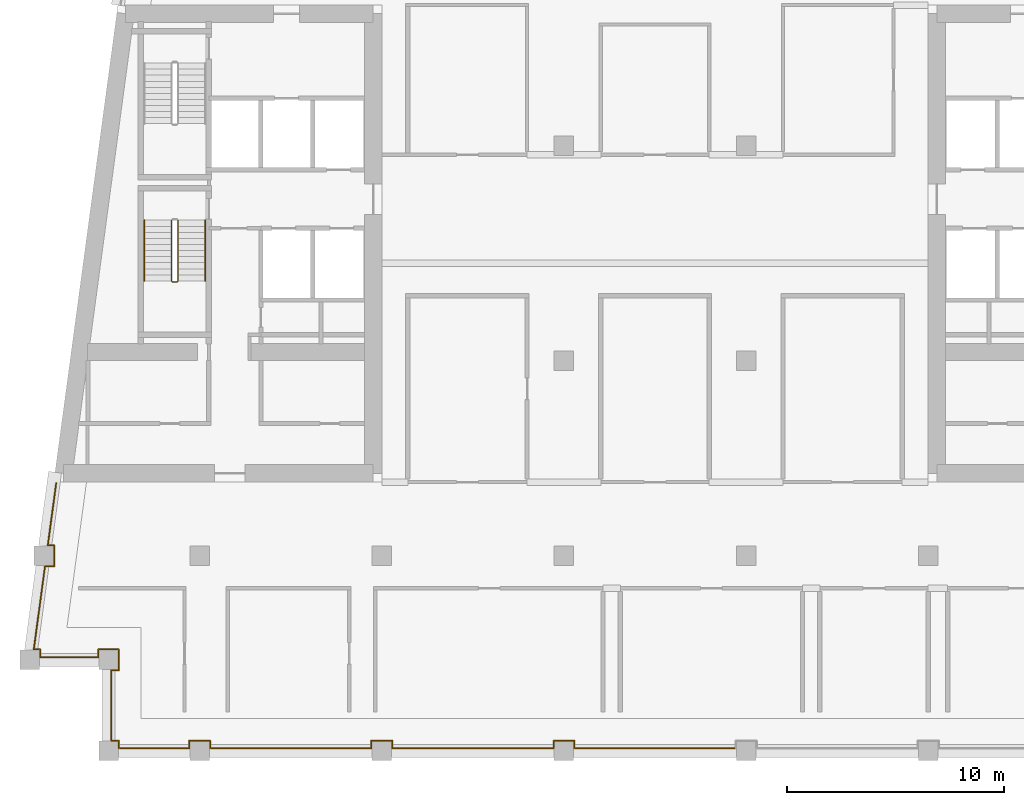
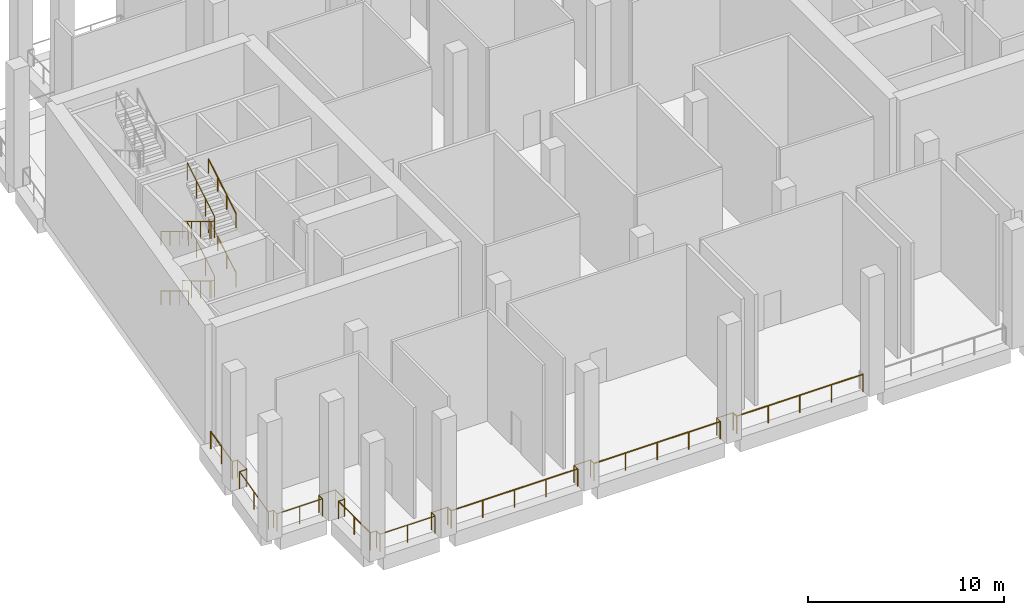
# One storey, part 7 of 10: 16 railings.
"""IFC4 building model written with IfcOpenShell, lengths in metres."""

from ifc_helpers import new_model, si_unit, direction, frame, origin, origin_2d, place, context, subcontext, project, spatial, circle, extrude, material, type_object, element, save


model = new_model("IFC4")

# Units and contexts
model_context = context("Model", 3, precision=1e-05, world=origin(), true_north=direction((0.0, 1.0)))
body_context = subcontext(model_context, "Body", "Model", "MODEL_VIEW")
ifc_project = project(units=[si_unit("LENGTHUNIT", "METRE"), si_unit("AREAUNIT", "SQUARE_METRE"), si_unit("VOLUMEUNIT", "CUBIC_METRE"), si_unit("PLANEANGLEUNIT", "RADIAN"), si_unit("MASSUNIT", "GRAM", prefix="KILO")], contexts=[model_context])

# Site, building, storey
site_placement = place(None, origin())
site = spatial("IfcSite", under=ifc_project, at=site_placement, CompositionType="ELEMENT")
building_placement = place(site_placement, origin())
building = spatial("IfcBuilding", under=site, at=building_placement, Name="Candeia Pilgrim Tower and Theatre", CompositionType="ELEMENT")
storey_placement = place(building_placement, frame((0.0, 0.0, 246.60009765625)))
storey = spatial("IfcBuildingStorey", under=building, at=storey_placement, Name="L60", CompositionType="ELEMENT", Elevation=246.60009765625)

# Railings
ifc_material_1 = material(Name="Stainless steel balustrade", Category="steel")
railing_type_1 = type_object("IfcRailingType", Name="G1 loggia guard 1100", PredefinedType="GUARDRAIL", material=ifc_material_1)
railing_1_placement = place(storey_placement, frame((88.320068359375, 101.719970703125, 0.0)))
element("IfcRailing", 1, at=railing_1_placement, inside=storey, type_object=railing_type_1, Name="Guard L60.1", PredefinedType="GUARDRAIL", context=body_context, shape_type="SweptSolid", body=[
    extrude(circle(Radius=0.02392578125, at=origin_2d()), frame((0.0, 0.0, 1.076171875), z_axis=(1.0, 0.0, 0.0), x_axis=(0.0, 1.0, 0.0)), (0.0, 0.0, 1.0), 0.35986328125),
    extrude(circle(Radius=0.02392578125, at=origin_2d()), frame((0.35986328125, 0.0, 1.076171875), z_axis=(0.0, 1.0, 0.0), x_axis=(-1.0, 0.0, 0.0)), (0.0, 0.0, 1.0), 0.9599609375),
    extrude(circle(Radius=0.02392578125, at=origin_2d()), frame((0.35986328125, 0.9599609375, 1.076171875), z_axis=(-1.0, 0.0, 0.0), x_axis=(0.0, -1.0, 0.0)), (0.0, 0.0, 1.0), 0.9599609375),
    extrude(circle(Radius=0.02392578125, at=origin_2d()), frame((-0.60009765625, 0.9599609375, 1.076171875), z_axis=(0.0, -1.0, 0.0), x_axis=(1.0, 0.0, 0.0)), (0.0, 0.0, 1.0), 0.35986328125),
    extrude(circle(Radius=0.02392578125, at=origin_2d()), frame((-0.60009765625, 0.60009765625, 1.076171875), z_axis=(-1.0, 0.0, 0.0), x_axis=(0.0, -1.0, 0.0)), (0.0, 0.0, 1.0), 2.674560546875),
    extrude(circle(Radius=0.02392578125, at=origin_2d()), frame((-3.274658203125, 0.60009765625, 1.076171875), z_axis=(0.0, 1.0, 0.0), x_axis=(-1.0, 0.0, 0.0)), (0.0, 0.0, 1.0), 0.35986328125),
    extrude(circle(Radius=0.02392578125, at=origin_2d()), frame((-3.274658203125, 0.9599609375, 1.076171875), z_axis=(-1.0, 0.0, 0.0), x_axis=(0.0, -1.0, 0.0)), (0.0, 0.0, 1.0), 0.29443359375),
    extrude(circle(Radius=0.02099609375, at=origin_2d()), origin(), (0.0, 0.0, 1.0), 1.052001953125),
    extrude(circle(Radius=0.02099609375, at=origin_2d()), frame((0.35986328125, 0.0, 0.0)), (0.0, 0.0, 1.0), 1.052001953125),
    extrude(circle(Radius=0.02099609375, at=origin_2d()), frame((0.35986328125, 0.9599609375, 0.0)), (0.0, 0.0, 1.0), 1.052001953125),
    extrude(circle(Radius=0.02099609375, at=origin_2d()), frame((-0.60009765625, 0.9599609375, 0.0)), (0.0, 0.0, 1.0), 1.052001953125),
    extrude(circle(Radius=0.02099609375, at=origin_2d()), frame((-0.60009765625, 0.60009765625, 0.0)), (0.0, 0.0, 1.0), 1.052001953125),
    extrude(circle(Radius=0.02099609375, at=origin_2d()), frame((-1.9375, 0.60009765625, 0.0)), (0.0, 0.0, 1.0), 1.052001953125),
    extrude(circle(Radius=0.02099609375, at=origin_2d()), frame((-3.274658203125, 0.60009765625, 0.0)), (0.0, 0.0, 1.0), 1.052001953125),
    extrude(circle(Radius=0.02099609375, at=origin_2d()), frame((-3.274658203125, 0.9599609375, 0.0)), (0.0, 0.0, 1.0), 1.052001953125),
    extrude(circle(Radius=0.02099609375, at=origin_2d()), frame((-3.569091796875, 0.9599609375, 0.0)), (0.0, 0.0, 1.0), 1.052001953125),
])
railing_2_placement = place(storey_placement, frame((84.7509765625, 102.679931640625, 0.0)))
element("IfcRailing", 2, at=railing_2_placement, inside=storey, type_object=railing_type_1, Name="Guard L60.2", PredefinedType="GUARDRAIL", context=body_context, shape_type="SweptSolid", body=[
    extrude(circle(Radius=0.02392578125, at=origin_2d()), frame((0.0, 0.0, 1.076171875), z_axis=(0.133451286285, 0.991055373927, 0.0), x_axis=(-0.991055373927, 0.133451286285, 0.0)), (0.0, 0.0, 1.0), 3.874755859375),
    extrude(circle(Radius=0.02392578125, at=origin_2d()), frame((0.51708984375, 3.840087890625, 1.076171875), z_axis=(1.0, 0.0, 0.0), x_axis=(0.0, 1.0, 0.0)), (0.0, 0.0, 1.0), 0.423583984375),
    extrude(circle(Radius=0.02392578125, at=origin_2d()), frame((0.940673828125, 3.840087890625, 1.076171875), z_axis=(0.0, 1.0, 0.0), x_axis=(-1.0, 0.0, 0.0)), (0.0, 0.0, 1.0), 0.9599609375),
    extrude(circle(Radius=0.02392578125, at=origin_2d()), frame((0.940673828125, 4.800048828125, 1.076171875), z_axis=(-1.0, 0.0, 0.0), x_axis=(0.0, -1.0, 0.0)), (0.0, 0.0, 1.0), 0.29443359375),
    extrude(circle(Radius=0.02099609375, at=origin_2d()), origin(), (0.0, 0.0, 1.0), 1.052001953125),
    extrude(circle(Radius=0.02099609375, at=origin_2d()), frame((0.258544921875, 1.919921875, 0.0)), (0.0, 0.0, 1.0), 1.052001953125),
    extrude(circle(Radius=0.02099609375, at=origin_2d()), frame((0.51708984375, 3.840087890625, 0.0)), (0.0, 0.0, 1.0), 1.052001953125),
    extrude(circle(Radius=0.02099609375, at=origin_2d()), frame((0.940673828125, 3.840087890625, 0.0)), (0.0, 0.0, 1.0), 1.052001953125),
    extrude(circle(Radius=0.02099609375, at=origin_2d()), frame((0.940673828125, 4.800048828125, 0.0)), (0.0, 0.0, 1.0), 1.052001953125),
    extrude(circle(Radius=0.02099609375, at=origin_2d()), frame((0.646240234375, 4.800048828125, 0.0)), (0.0, 0.0, 1.0), 1.052001953125),
])
railing_3_placement = place(storey_placement, frame((85.397216796875, 107.47998046875, 0.0)))
element("IfcRailing", 3, at=railing_3_placement, inside=storey, type_object=railing_type_1, Name="Guard L60.3", PredefinedType="GUARDRAIL", context=body_context, shape_type="SweptSolid", body=[
    extrude(circle(Radius=0.02392578125, at=origin_2d()), frame((0.0, 0.0, 1.076171875), z_axis=(0.133450228179, 0.991055516406, 0.0), x_axis=(-0.991055516406, 0.133450228179, 0.0)), (0.0, 0.0, 1.0), 2.89599609375),
    extrude(circle(Radius=0.02099609375, at=origin_2d()), origin(), (0.0, 0.0, 1.0), 1.052001953125),
    extrude(circle(Radius=0.02099609375, at=origin_2d()), frame((0.193359375, 1.43505859375, 0.0)), (0.0, 0.0, 1.0), 1.052001953125),
    extrude(circle(Radius=0.02099609375, at=origin_2d()), frame((0.386474609375, 2.8701171875, 0.0)), (0.0, 0.0, 1.0), 1.052001953125),
])
railing_4_placement = place(storey_placement, frame((117.1201171875, 98.1201171875, 0.0)))
element("IfcRailing", 4, at=railing_4_placement, inside=storey, type_object=railing_type_1, Name="Guard L60.27", PredefinedType="GUARDRAIL", context=body_context, shape_type="SweptSolid", body=[
    extrude(circle(Radius=0.02392578125, at=origin_2d()), frame((0.0, 0.0, 1.076171875), z_axis=(-1.0, 0.0, 0.0), x_axis=(0.0, -1.0, 0.0)), (0.0, 0.0, 1.0), 7.440185546875),
    extrude(circle(Radius=0.02392578125, at=origin_2d()), frame((-7.440185546875, 0.0, 1.076171875), z_axis=(0.0, 1.0, 0.0), x_axis=(-1.0, 0.0, 0.0)), (0.0, 0.0, 1.0), 0.35986328125),
    extrude(circle(Radius=0.02099609375, at=origin_2d()), origin(), (0.0, 0.0, 1.0), 1.052001953125),
    extrude(circle(Radius=0.02099609375, at=origin_2d()), frame((-1.860107421875, 0.0, 0.0)), (0.0, 0.0, 1.0), 1.052001953125),
    extrude(circle(Radius=0.02099609375, at=origin_2d()), frame((-3.72021484375, 0.0, 0.0)), (0.0, 0.0, 1.0), 1.052001953125),
    extrude(circle(Radius=0.02099609375, at=origin_2d()), frame((-5.580078125, 0.0, 0.0)), (0.0, 0.0, 1.0), 1.052001953125),
    extrude(circle(Radius=0.02099609375, at=origin_2d()), frame((-7.440185546875, 0.0, 0.0)), (0.0, 0.0, 1.0), 1.052001953125),
    extrude(circle(Radius=0.02099609375, at=origin_2d()), frame((-7.440185546875, 0.35986328125, 0.0)), (0.0, 0.0, 1.0), 1.052001953125),
])
railing_5_placement = place(storey_placement, frame((109.679931640625, 98.47998046875, 0.0)))
element("IfcRailing", 5, at=railing_5_placement, inside=storey, type_object=railing_type_1, Name="Guard L60.28", PredefinedType="GUARDRAIL", context=body_context, shape_type="SweptSolid", body=[
    extrude(circle(Radius=0.02392578125, at=origin_2d()), frame((0.0, 0.0, 1.076171875), z_axis=(-1.0, 0.0, 0.0), x_axis=(0.0, -1.0, 0.0)), (0.0, 0.0, 1.0), 0.9599609375),
    extrude(circle(Radius=0.02392578125, at=origin_2d()), frame((-0.9599609375, 0.0, 1.076171875), z_axis=(0.0, -1.0, 0.0), x_axis=(1.0, 0.0, 0.0)), (0.0, 0.0, 1.0), 0.35986328125),
    extrude(circle(Radius=0.02099609375, at=origin_2d()), origin(), (0.0, 0.0, 1.0), 1.052001953125),
    extrude(circle(Radius=0.02099609375, at=origin_2d()), frame((-0.9599609375, 0.0, 0.0)), (0.0, 0.0, 1.0), 1.052001953125),
    extrude(circle(Radius=0.02099609375, at=origin_2d()), frame((-0.9599609375, -0.35986328125, 0.0)), (0.0, 0.0, 1.0), 1.052001953125),
])
railing_6_placement = place(storey_placement, frame((108.719970703125, 98.1201171875, 0.0)))
element("IfcRailing", 6, at=railing_6_placement, inside=storey, type_object=railing_type_1, Name="Guard L60.29", PredefinedType="GUARDRAIL", context=body_context, shape_type="SweptSolid", body=[
    extrude(circle(Radius=0.02392578125, at=origin_2d()), frame((0.0, 0.0, 1.076171875), z_axis=(-1.0, 0.0, 0.0), x_axis=(0.0, -1.0, 0.0)), (0.0, 0.0, 1.0), 7.43994140625),
    extrude(circle(Radius=0.02392578125, at=origin_2d()), frame((-7.43994140625, 0.0, 1.076171875), z_axis=(0.0, 1.0, 0.0), x_axis=(-1.0, 0.0, 0.0)), (0.0, 0.0, 1.0), 0.35986328125),
    extrude(circle(Radius=0.02099609375, at=origin_2d()), origin(), (0.0, 0.0, 1.0), 1.052001953125),
    extrude(circle(Radius=0.02099609375, at=origin_2d()), frame((-1.85986328125, 0.0, 0.0)), (0.0, 0.0, 1.0), 1.052001953125),
    extrude(circle(Radius=0.02099609375, at=origin_2d()), frame((-3.719970703125, 0.0, 0.0)), (0.0, 0.0, 1.0), 1.052001953125),
    extrude(circle(Radius=0.02099609375, at=origin_2d()), frame((-5.580078125, 0.0, 0.0)), (0.0, 0.0, 1.0), 1.052001953125),
    extrude(circle(Radius=0.02099609375, at=origin_2d()), frame((-7.43994140625, 0.0, 0.0)), (0.0, 0.0, 1.0), 1.052001953125),
    extrude(circle(Radius=0.02099609375, at=origin_2d()), frame((-7.43994140625, 0.35986328125, 0.0)), (0.0, 0.0, 1.0), 1.052001953125),
])
railing_7_placement = place(storey_placement, frame((101.280029296875, 98.47998046875, 0.0)))
element("IfcRailing", 7, at=railing_7_placement, inside=storey, type_object=railing_type_1, Name="Guard L60.30", PredefinedType="GUARDRAIL", context=body_context, shape_type="SweptSolid", body=[
    extrude(circle(Radius=0.02392578125, at=origin_2d()), frame((0.0, 0.0, 1.076171875), z_axis=(-1.0, 0.0, 0.0), x_axis=(0.0, -1.0, 0.0)), (0.0, 0.0, 1.0), 0.9599609375),
    extrude(circle(Radius=0.02392578125, at=origin_2d()), frame((-0.9599609375, 0.0, 1.076171875), z_axis=(0.0, -1.0, 0.0), x_axis=(1.0, 0.0, 0.0)), (0.0, 0.0, 1.0), 0.35986328125),
    extrude(circle(Radius=0.02099609375, at=origin_2d()), origin(), (0.0, 0.0, 1.0), 1.052001953125),
    extrude(circle(Radius=0.02099609375, at=origin_2d()), frame((-0.9599609375, 0.0, 0.0)), (0.0, 0.0, 1.0), 1.052001953125),
    extrude(circle(Radius=0.02099609375, at=origin_2d()), frame((-0.9599609375, -0.35986328125, 0.0)), (0.0, 0.0, 1.0), 1.052001953125),
])
railing_8_placement = place(storey_placement, frame((100.320068359375, 98.1201171875, 0.0)))
element("IfcRailing", 8, at=railing_8_placement, inside=storey, type_object=railing_type_1, Name="Guard L60.31", PredefinedType="GUARDRAIL", context=body_context, shape_type="SweptSolid", body=[
    extrude(circle(Radius=0.02392578125, at=origin_2d()), frame((0.0, 0.0, 1.076171875), z_axis=(-1.0, 0.0, 0.0), x_axis=(0.0, -1.0, 0.0)), (0.0, 0.0, 1.0), 7.440185546875),
    extrude(circle(Radius=0.02392578125, at=origin_2d()), frame((-7.440185546875, 0.0, 1.076171875), z_axis=(0.0, 1.0, 0.0), x_axis=(-1.0, 0.0, 0.0)), (0.0, 0.0, 1.0), 0.35986328125),
    extrude(circle(Radius=0.02099609375, at=origin_2d()), origin(), (0.0, 0.0, 1.0), 1.052001953125),
    extrude(circle(Radius=0.02099609375, at=origin_2d()), frame((-1.860107421875, 0.0, 0.0)), (0.0, 0.0, 1.0), 1.052001953125),
    extrude(circle(Radius=0.02099609375, at=origin_2d()), frame((-3.72021484375, 0.0, 0.0)), (0.0, 0.0, 1.0), 1.052001953125),
    extrude(circle(Radius=0.02099609375, at=origin_2d()), frame((-5.580078125, 0.0, 0.0)), (0.0, 0.0, 1.0), 1.052001953125),
    extrude(circle(Radius=0.02099609375, at=origin_2d()), frame((-7.440185546875, 0.0, 0.0)), (0.0, 0.0, 1.0), 1.052001953125),
    extrude(circle(Radius=0.02099609375, at=origin_2d()), frame((-7.440185546875, 0.35986328125, 0.0)), (0.0, 0.0, 1.0), 1.052001953125),
])
railing_9_placement = place(storey_placement, frame((92.8798828125, 98.47998046875, 0.0)))
element("IfcRailing", 9, at=railing_9_placement, inside=storey, type_object=railing_type_1, Name="Guard L60.32", PredefinedType="GUARDRAIL", context=body_context, shape_type="SweptSolid", body=[
    extrude(circle(Radius=0.02392578125, at=origin_2d()), frame((0.0, 0.0, 1.076171875), z_axis=(-1.0, 0.0, 0.0), x_axis=(0.0, -1.0, 0.0)), (0.0, 0.0, 1.0), 0.9599609375),
    extrude(circle(Radius=0.02392578125, at=origin_2d()), frame((-0.9599609375, 0.0, 1.076171875), z_axis=(0.0, -1.0, 0.0), x_axis=(1.0, 0.0, 0.0)), (0.0, 0.0, 1.0), 0.35986328125),
    extrude(circle(Radius=0.02392578125, at=origin_2d()), frame((-0.9599609375, -0.35986328125, 1.076171875), z_axis=(-1.0, 0.0, 0.0), x_axis=(0.0, -1.0, 0.0)), (0.0, 0.0, 1.0), 3.239990234375),
    extrude(circle(Radius=0.02392578125, at=origin_2d()), frame((-4.199951171875, -0.35986328125, 1.076171875), z_axis=(0.0, 1.0, 0.0), x_axis=(-1.0, 0.0, 0.0)), (0.0, 0.0, 1.0), 0.35986328125),
    extrude(circle(Radius=0.02392578125, at=origin_2d()), frame((-4.199951171875, 0.0, 1.076171875), z_axis=(-1.0, 0.0, 0.0), x_axis=(0.0, -1.0, 0.0)), (0.0, 0.0, 1.0), 0.35986328125),
    extrude(circle(Radius=0.02099609375, at=origin_2d()), origin(), (0.0, 0.0, 1.0), 1.052001953125),
    extrude(circle(Radius=0.02099609375, at=origin_2d()), frame((-0.9599609375, 0.0, 0.0)), (0.0, 0.0, 1.0), 1.052001953125),
    extrude(circle(Radius=0.02099609375, at=origin_2d()), frame((-0.9599609375, -0.35986328125, 0.0)), (0.0, 0.0, 1.0), 1.052001953125),
    extrude(circle(Radius=0.02099609375, at=origin_2d()), frame((-2.580078125, -0.35986328125, 0.0)), (0.0, 0.0, 1.0), 1.052001953125),
    extrude(circle(Radius=0.02099609375, at=origin_2d()), frame((-4.199951171875, -0.35986328125, 0.0)), (0.0, 0.0, 1.0), 1.052001953125),
    extrude(circle(Radius=0.02099609375, at=origin_2d()), frame((-4.199951171875, 0.0, 0.0)), (0.0, 0.0, 1.0), 1.052001953125),
    extrude(circle(Radius=0.02099609375, at=origin_2d()), frame((-4.559814453125, 0.0, 0.0)), (0.0, 0.0, 1.0), 1.052001953125),
])
railing_10_placement = place(storey_placement, frame((88.320068359375, 98.47998046875, 0.0)))
element("IfcRailing", 10, at=railing_10_placement, inside=storey, type_object=railing_type_1, Name="Guard L60.33", PredefinedType="GUARDRAIL", context=body_context, shape_type="SweptSolid", body=[
    extrude(circle(Radius=0.02392578125, at=origin_2d()), frame((0.0, 0.0, 1.076171875), z_axis=(0.0, 1.0, 0.0), x_axis=(-1.0, 0.0, 0.0)), (0.0, 0.0, 1.0), 3.239990234375),
    extrude(circle(Radius=0.02099609375, at=origin_2d()), origin(), (0.0, 0.0, 1.0), 1.052001953125),
    extrude(circle(Radius=0.02099609375, at=origin_2d()), frame((0.0, 1.6201171875, 0.0)), (0.0, 0.0, 1.0), 1.052001953125),
    extrude(circle(Radius=0.02099609375, at=origin_2d()), frame((0.0, 3.239990234375, 0.0)), (0.0, 0.0, 1.0), 1.052001953125),
])
railing_type_2 = type_object("IfcRailingType", Name="RL-GUARD-1100", PredefinedType="GUARDRAIL", material=ifc_material_1)
railing_11_placement = place(storey_placement, frame((91.10205078125, 122.47509765625, 0.16796875)))
element("IfcRailing", 11, at=railing_11_placement, inside=storey, type_object=railing_type_2, Name="L60 ST1 stair guard 1", PredefinedType="GUARDRAIL", context=body_context, shape_type="SweptSolid", body=[
    extrude(circle(Radius=0.02392578125, at=origin_2d()), frame((0.0, 0.0, 1.076171875), z_axis=(0.0, -0.857242210791, 0.514913383045), x_axis=(1.0, 0.0, 0.0)), (0.0, 0.0, 1.0), 3.266357421875),
    extrude(circle(Radius=0.02392578125, at=origin_2d()), frame((0.0, -2.800048828125, 2.7578125), z_axis=(0.707106781187, -0.707106781187, 0.0), x_axis=(0.707106781187, 0.707106781187, 0.0)), (0.0, 0.0, 1.0), 0.07080078125),
    extrude(circle(Radius=0.02392578125, at=origin_2d()), frame((0.050048828125, -2.85009765625, 2.7578125), z_axis=(1.0, 0.0, 0.0), x_axis=(0.0, 1.0, 0.0)), (0.0, 0.0, 1.0), 0.199951171875),
    extrude(circle(Radius=0.02392578125, at=origin_2d()), frame((0.25, -2.85009765625, 2.7578125), z_axis=(0.274243871929, 0.274243871929, 0.92172696468), x_axis=(-0.707106781187, 0.707106781187, 0.0)), (0.0, 0.0, 1.0), 0.1826171875),
    extrude(circle(Radius=0.02392578125, at=origin_2d()), frame((0.300048828125, -2.800048828125, 2.92626953125), z_axis=(0.0, 0.857242210791, 0.514913383045), x_axis=(-1.0, 0.0, 0.0)), (0.0, 0.0, 1.0), 3.266357421875),
    extrude(circle(Radius=0.02099609375, at=origin_2d()), origin(), (0.0, 0.0, 1.0), 1.052001953125),
    extrude(circle(Radius=0.02099609375, at=origin_2d()), frame((0.0, -0.933349609375, 0.560546875)), (0.0, 0.0, 1.0), 1.052001953125),
    extrude(circle(Radius=0.02099609375, at=origin_2d()), frame((0.0, -1.86669921875, 1.121337890625)), (0.0, 0.0, 1.0), 1.052001953125),
    extrude(circle(Radius=0.02099609375, at=origin_2d()), frame((0.0, -2.800048828125, 1.681884765625)), (0.0, 0.0, 1.0), 1.052001953125),
    extrude(circle(Radius=0.02099609375, at=origin_2d()), frame((0.050048828125, -2.85009765625, 1.681884765625)), (0.0, 0.0, 1.0), 1.052001953125),
    extrude(circle(Radius=0.02099609375, at=origin_2d()), frame((0.25, -2.85009765625, 1.681884765625)), (0.0, 0.0, 1.0), 1.052001953125),
    extrude(circle(Radius=0.02099609375, at=origin_2d()), frame((0.300048828125, -2.800048828125, 1.85009765625)), (0.0, 0.0, 1.0), 1.052001953125),
    extrude(circle(Radius=0.02099609375, at=origin_2d()), frame((0.300048828125, -1.86669921875, 2.41064453125)), (0.0, 0.0, 1.0), 1.052001953125),
    extrude(circle(Radius=0.02099609375, at=origin_2d()), frame((0.300048828125, -0.933349609375, 2.971435546875)), (0.0, 0.0, 1.0), 1.052001953125),
    extrude(circle(Radius=0.02099609375, at=origin_2d()), frame((0.300048828125, 0.0, 3.531982421875)), (0.0, 0.0, 1.0), 1.052001953125),
])
railing_12_placement = place(storey_placement, frame((91.10205078125, 122.47509765625, 3.8681640625)))
element("IfcRailing", 12, at=railing_12_placement, inside=storey, type_object=railing_type_2, Name="L60 ST1 stair guard 3", PredefinedType="GUARDRAIL", context=body_context, shape_type="SweptSolid", body=[
    extrude(circle(Radius=0.02392578125, at=origin_2d()), frame((0.0, 0.0, 1.076171875), z_axis=(0.0, -0.857275202839, 0.514858452973), x_axis=(1.0, 0.0, 0.0)), (0.0, 0.0, 1.0), 3.26611328125),
    extrude(circle(Radius=0.02392578125, at=origin_2d()), frame((0.0, -2.800048828125, 2.7578125), z_axis=(0.707106781187, -0.707106781187, 0.0), x_axis=(0.707106781187, 0.707106781187, 0.0)), (0.0, 0.0, 1.0), 0.07080078125),
    extrude(circle(Radius=0.02392578125, at=origin_2d()), frame((0.050048828125, -2.85009765625, 2.7578125), z_axis=(1.0, 0.0, 0.0), x_axis=(0.0, 1.0, 0.0)), (0.0, 0.0, 1.0), 0.199951171875),
    extrude(circle(Radius=0.02392578125, at=origin_2d()), frame((0.25, -2.85009765625, 2.7578125), z_axis=(0.274243871929, 0.274243871929, 0.92172696468), x_axis=(-0.707106781187, 0.707106781187, 0.0)), (0.0, 0.0, 1.0), 0.1826171875),
    extrude(circle(Radius=0.02392578125, at=origin_2d()), frame((0.300048828125, -2.800048828125, 2.92578125), z_axis=(0.0, 0.857242210791, 0.514913383045), x_axis=(-1.0, 0.0, 0.0)), (0.0, 0.0, 1.0), 3.266357421875),
    extrude(circle(Radius=0.02099609375, at=origin_2d()), origin(), (0.0, 0.0, 1.0), 1.052001953125),
    extrude(circle(Radius=0.02099609375, at=origin_2d()), frame((0.0, -0.933349609375, 0.560546875)), (0.0, 0.0, 1.0), 1.052001953125),
    extrude(circle(Radius=0.02099609375, at=origin_2d()), frame((0.0, -1.86669921875, 1.12109375)), (0.0, 0.0, 1.0), 1.052001953125),
    extrude(circle(Radius=0.02099609375, at=origin_2d()), frame((0.0, -2.800048828125, 1.681640625)), (0.0, 0.0, 1.0), 1.052001953125),
    extrude(circle(Radius=0.02099609375, at=origin_2d()), frame((0.050048828125, -2.85009765625, 1.681640625)), (0.0, 0.0, 1.0), 1.052001953125),
    extrude(circle(Radius=0.02099609375, at=origin_2d()), frame((0.25, -2.85009765625, 1.681640625)), (0.0, 0.0, 1.0), 1.052001953125),
    extrude(circle(Radius=0.02099609375, at=origin_2d()), frame((0.300048828125, -2.800048828125, 1.849853515625)), (0.0, 0.0, 1.0), 1.052001953125),
    extrude(circle(Radius=0.02099609375, at=origin_2d()), frame((0.300048828125, -1.86669921875, 2.410400390625)), (0.0, 0.0, 1.0), 1.052001953125),
    extrude(circle(Radius=0.02099609375, at=origin_2d()), frame((0.300048828125, -0.933349609375, 2.97119140625)), (0.0, 0.0, 1.0), 1.052001953125),
    extrude(circle(Radius=0.02099609375, at=origin_2d()), frame((0.300048828125, 0.0, 3.53173828125)), (0.0, 0.0, 1.0), 1.052001953125),
])
ifc_material_2 = material(Name="Stainless steel handrail", Category="steel")
railing_type_3 = type_object("IfcRailingType", Name="RL-HANDRAIL-900", PredefinedType="HANDRAIL", material=ifc_material_2)
railing_13_placement = place(storey_placement, frame((89.85205078125, 122.47509765625, 0.16796875)))
element("IfcRailing", 13, at=railing_13_placement, inside=storey, type_object=railing_type_3, Name="L60 ST1 stair handrail 1", PredefinedType="HANDRAIL", context=body_context, shape_type="SweptSolid", body=[
    extrude(circle(Radius=0.02392578125, at=origin_2d()), frame((0.0, 0.0, 0.8759765625), z_axis=(0.0, -0.857242210791, 0.514913383045), x_axis=(1.0, 0.0, 0.0)), (0.0, 0.0, 1.0), 3.266357421875),
    extrude(circle(Radius=0.02099609375, at=origin_2d()), origin(), (0.0, 0.0, 1.0), 0.851806640625),
    extrude(circle(Radius=0.02099609375, at=origin_2d()), frame((0.0, -0.933349609375, 0.560546875)), (0.0, 0.0, 1.0), 0.851806640625),
    extrude(circle(Radius=0.02099609375, at=origin_2d()), frame((0.0, -1.86669921875, 1.121337890625)), (0.0, 0.0, 1.0), 0.851806640625),
    extrude(circle(Radius=0.02099609375, at=origin_2d()), frame((0.0, -2.800048828125, 1.681884765625)), (0.0, 0.0, 1.0), 0.851806640625),
])
railing_14_placement = place(storey_placement, frame((92.652099609375, 119.675048828125, 2.01806640625)))
element("IfcRailing", 14, at=railing_14_placement, inside=storey, type_object=railing_type_3, Name="L60 ST1 stair handrail 2", PredefinedType="HANDRAIL", context=body_context, shape_type="SweptSolid", body=[
    extrude(circle(Radius=0.02392578125, at=origin_2d()), frame((0.0, 0.0, 0.8759765625), z_axis=(0.0, 0.857242210791, 0.514913383045), x_axis=(-1.0, 0.0, 0.0)), (0.0, 0.0, 1.0), 3.266357421875),
    extrude(circle(Radius=0.02099609375, at=origin_2d()), origin(), (0.0, 0.0, 1.0), 0.851806640625),
    extrude(circle(Radius=0.02099609375, at=origin_2d()), frame((0.0, 0.933349609375, 0.560546875)), (0.0, 0.0, 1.0), 0.851806640625),
    extrude(circle(Radius=0.02099609375, at=origin_2d()), frame((0.0, 1.86669921875, 1.121337890625)), (0.0, 0.0, 1.0), 0.851806640625),
    extrude(circle(Radius=0.02099609375, at=origin_2d()), frame((0.0, 2.800048828125, 1.681884765625)), (0.0, 0.0, 1.0), 0.851806640625),
])
railing_15_placement = place(storey_placement, frame((89.85205078125, 122.47509765625, 3.8681640625)))
element("IfcRailing", 15, at=railing_15_placement, inside=storey, type_object=railing_type_3, Name="L60 ST1 stair handrail 3", PredefinedType="HANDRAIL", context=body_context, shape_type="SweptSolid", body=[
    extrude(circle(Radius=0.02392578125, at=origin_2d()), frame((0.0, 0.0, 0.8759765625), z_axis=(0.0, -0.857275202839, 0.514858452973), x_axis=(1.0, 0.0, 0.0)), (0.0, 0.0, 1.0), 3.26611328125),
    extrude(circle(Radius=0.02099609375, at=origin_2d()), origin(), (0.0, 0.0, 1.0), 0.851806640625),
    extrude(circle(Radius=0.02099609375, at=origin_2d()), frame((0.0, -0.933349609375, 0.560546875)), (0.0, 0.0, 1.0), 0.851806640625),
    extrude(circle(Radius=0.02099609375, at=origin_2d()), frame((0.0, -1.86669921875, 1.12109375)), (0.0, 0.0, 1.0), 0.851806640625),
    extrude(circle(Radius=0.02099609375, at=origin_2d()), frame((0.0, -2.800048828125, 1.681640625)), (0.0, 0.0, 1.0), 0.851806640625),
])
railing_16_placement = place(storey_placement, frame((92.652099609375, 119.675048828125, 5.718017578125)))
element("IfcRailing", 16, at=railing_16_placement, inside=storey, type_object=railing_type_3, Name="L60 ST1 stair handrail 4", PredefinedType="HANDRAIL", context=body_context, shape_type="SweptSolid", body=[
    extrude(circle(Radius=0.02392578125, at=origin_2d()), frame((0.0, 0.0, 0.8759765625), z_axis=(0.0, 0.857242210791, 0.514913383045), x_axis=(-1.0, 0.0, 0.0)), (0.0, 0.0, 1.0), 3.266357421875),
    extrude(circle(Radius=0.02099609375, at=origin_2d()), origin(), (0.0, 0.0, 1.0), 0.851806640625),
    extrude(circle(Radius=0.02099609375, at=origin_2d()), frame((0.0, 0.933349609375, 0.560546875)), (0.0, 0.0, 1.0), 0.851806640625),
    extrude(circle(Radius=0.02099609375, at=origin_2d()), frame((0.0, 1.86669921875, 1.121337890625)), (0.0, 0.0, 1.0), 0.851806640625),
    extrude(circle(Radius=0.02099609375, at=origin_2d()), frame((0.0, 2.800048828125, 1.681884765625)), (0.0, 0.0, 1.0), 0.851806640625),
])

save(model, "model.ifc")
